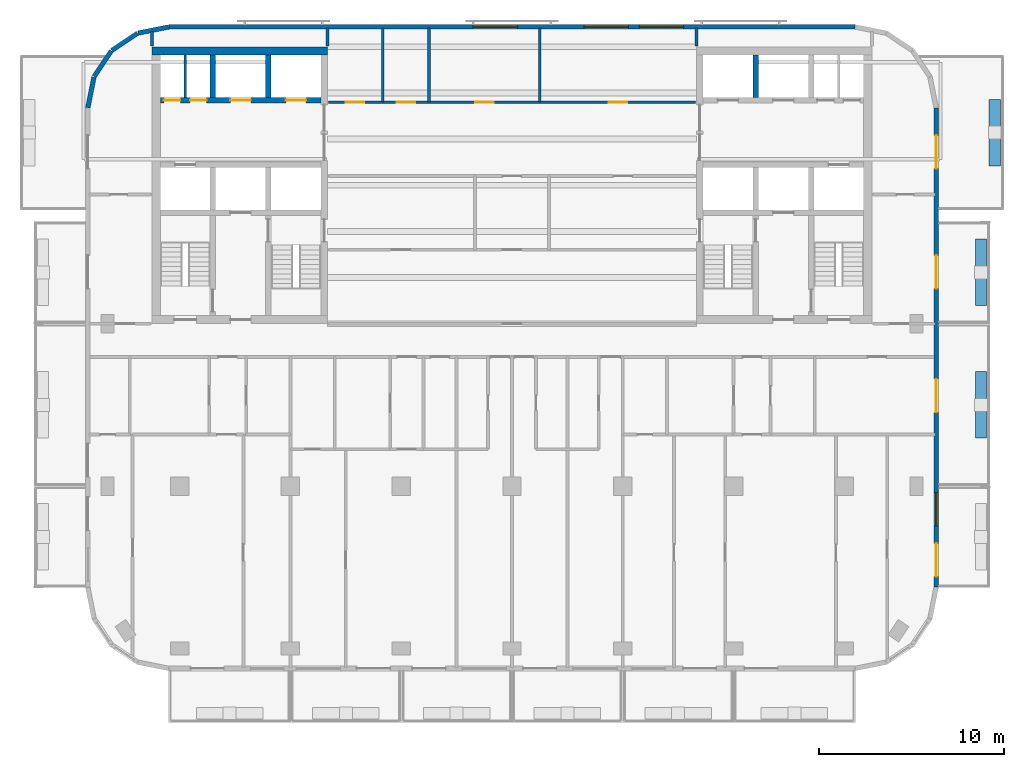
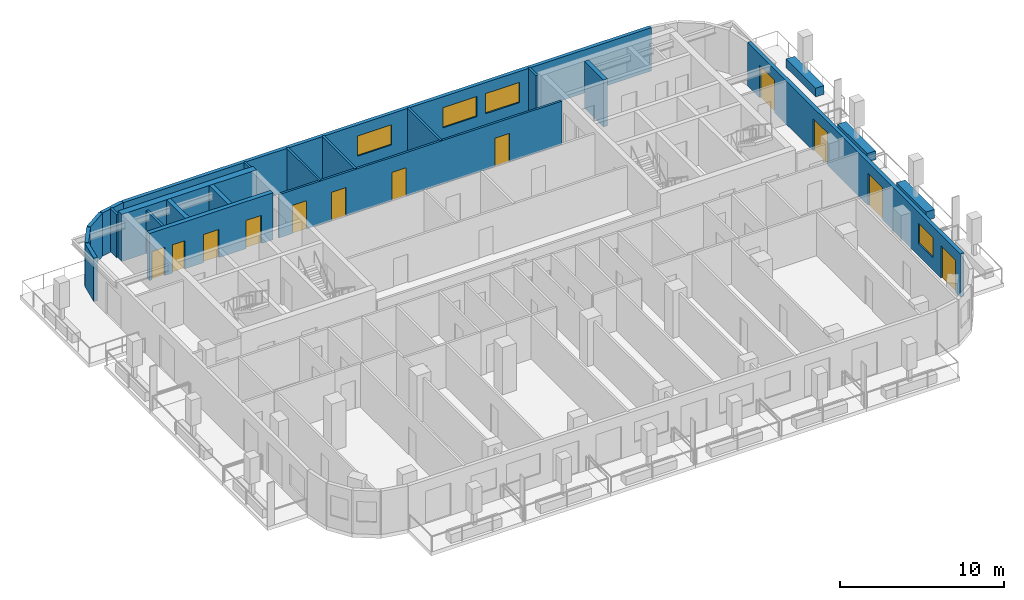
# One storey, part 6 of 11: 22 walls, 12 doors, 4 windows, 16 openings.
"""IFC4 building model written with IfcOpenShell, lengths in metres."""

from ifc_helpers import new_model, si_unit, direction, frame, frame_2d, origin, place, context, subcontext, project, spatial, rectangle, extrude, material, layer, layer_set, type_object, element, fill, save


model = new_model("IFC4")

# Units and contexts
model_context = context("Model", 3, precision=1e-05, world=origin(), true_north=direction((0.0, 1.0)))
body_context = subcontext(model_context, "Body", "Model", "MODEL_VIEW")
ifc_project = project(units=[si_unit("LENGTHUNIT", "METRE"), si_unit("AREAUNIT", "SQUARE_METRE"), si_unit("VOLUMEUNIT", "CUBIC_METRE"), si_unit("PLANEANGLEUNIT", "RADIAN"), si_unit("MASSUNIT", "GRAM", prefix="KILO")], contexts=[model_context])

# Site, building, storey
site_placement = place(None, origin())
site = spatial("IfcSite", under=ifc_project, at=site_placement, CompositionType="ELEMENT")
building_placement = place(site_placement, origin())
building = spatial("IfcBuilding", under=site, at=building_placement, Name="Torana Hotel and Residences", CompositionType="ELEMENT")
storey_placement = place(building_placement, frame((0.0, 0.0, 287.60009765625)))
storey = spatial("IfcBuildingStorey", under=building, at=storey_placement, Name="L76", CompositionType="ELEMENT", Elevation=287.60009765625)

# Wall, openings, doors
ifc_material_1 = material(Name="Concrete C60/75", Category="concrete")
ifc_layer_1 = layer(ifc_material_1, 0.300048828125)
ifc_layer_set_1 = layer_set([ifc_layer_1], Name="CORE WALL 300 C60/75")
wall_type_1 = type_object("IfcWallType", Name="CORE WALL 300 C60/75", PredefinedType="SHEAR", material=ifc_layer_set_1)
wall_1_placement = place(storey_placement, frame((-19.050048828125, -2.89990234375, 0.0), z_axis=(0.0, 0.0, 1.0), x_axis=(1.0, 0.0, 0.0)))
wall_1 = element("IfcWall", 1, at=wall_1_placement, inside=storey, type_object=wall_type_1, Name="Core wall W row-N", PredefinedType="SHEAR", context=body_context, shape_type="SweptSolid", body=[
    extrude(rectangle(XDim=8.699951171875, YDim=0.300048828125, at=frame_2d((4.35009765625, 0.0))), origin(), (0.0, 0.0, 1.0), 3.5),
])
opening_1_placement = place(wall_1_placement, frame((6.800048828125, 0.0, 0.0)))
opening_1 = element("IfcOpeningElement", 2, at=opening_1_placement, cuts=wall_1, Name="Opening LD", PredefinedType="OPENING", context=body_context, shape_type="SweptSolid", body=[
    extrude(rectangle(XDim=1.10009765625, YDim=2.10009765625, at=frame_2d((0.550048828125, 1.050048828125))), frame((0.0, 0.159912109375, 0.0), z_axis=(0.0, -1.0, 0.0), x_axis=(1.0, 0.0, 0.0)), (0.0, 0.0, 1.0), 0.320068359375),
])
opening_2_placement = place(wall_1_placement, frame((3.800048828125, 0.0, 0.0)))
opening_2 = element("IfcOpeningElement", 3, at=opening_2_placement, cuts=wall_1, Name="Opening LD", PredefinedType="OPENING", context=body_context, shape_type="SweptSolid", body=[
    extrude(rectangle(XDim=1.10009765625, YDim=2.10009765625, at=frame_2d((0.550048828125, 1.050048828125))), frame((0.0, 0.159912109375, 0.0), z_axis=(0.0, -1.0, 0.0), x_axis=(1.0, 0.0, 0.0)), (0.0, 0.0, 1.0), 0.320068359375),
])
opening_3_placement = place(wall_1_placement, frame((1.612548828125, 0.0, 0.0)))
opening_3 = element("IfcOpeningElement", 4, at=opening_3_placement, cuts=wall_1, Name="Opening L76-06", PredefinedType="OPENING", context=body_context, shape_type="SweptSolid", body=[
    extrude(rectangle(XDim=0.89990234375, YDim=2.10009765625, at=frame_2d((0.449951171875, 1.050048828125))), frame((0.0, 0.159912109375, 0.0), z_axis=(0.0, -1.0, 0.0), x_axis=(1.0, 0.0, 0.0)), (0.0, 0.0, 1.0), 0.320068359375),
])
opening_4_placement = place(wall_1_placement, frame((0.1875, 0.0, 0.0)))
opening_4 = element("IfcOpeningElement", 5, at=opening_4_placement, cuts=wall_1, Name="Opening L76-07", PredefinedType="OPENING", context=body_context, shape_type="SweptSolid", body=[
    extrude(rectangle(XDim=0.89990234375, YDim=2.10009765625, at=frame_2d((0.449951171875, 1.050048828125))), frame((0.0, 0.159912109375, 0.0), z_axis=(0.0, -1.0, 0.0), x_axis=(1.0, 0.0, 0.0)), (0.0, 0.0, 1.0), 0.320068359375),
])
ifc_material_2 = material(Name="Stainless steel 316", Category="steel")
door_type_1 = type_object("IfcDoorType", Name="LIFT LANDING DOOR LD 1100x2100", OperationType="DOUBLE_DOOR_SLIDING", PredefinedType="USERDEFINED", material=ifc_material_2)
door_1_placement = place(opening_1_placement, origin())
door_1 = element("IfcDoor", 6, at=door_1_placement, inside=storey, type_object=door_type_1, Name="Lift landing door H1 L76", ObjectType="LIFT LANDING DOOR", OperationType="DOUBLE_DOOR_SLIDING", OverallHeight=2.10009765625, OverallWidth=1.10009765625, PredefinedType="USERDEFINED", context=body_context, shape_type="SweptSolid", body=[
    extrude(rectangle(XDim=1.10009765625, YDim=2.10009765625, at=frame_2d((0.550048828125, 1.050048828125))), frame((0.0, 0.02490234375, 0.0), z_axis=(0.0, -1.0, 0.0), x_axis=(1.0, 0.0, 0.0)), (0.0, 0.0, 1.0), 0.050048828125),
])
fill(opening_1, door_1)
door_2_placement = place(opening_2_placement, origin())
door_2 = element("IfcDoor", 7, at=door_2_placement, inside=storey, type_object=door_type_1, Name="Lift landing door H2 L76", ObjectType="LIFT LANDING DOOR", OperationType="DOUBLE_DOOR_SLIDING", OverallHeight=2.10009765625, OverallWidth=1.10009765625, PredefinedType="USERDEFINED", context=body_context, shape_type="SweptSolid", body=[
    extrude(rectangle(XDim=1.10009765625, YDim=2.10009765625, at=frame_2d((0.550048828125, 1.050048828125))), frame((0.0, 0.02490234375, 0.0), z_axis=(0.0, -1.0, 0.0), x_axis=(1.0, 0.0, 0.0)), (0.0, 0.0, 1.0), 0.050048828125),
])
fill(opening_2, door_2)
ifc_material_3 = material(Name="Steel S235", Category="steel")
door_type_2 = type_object("IfcDoorType", Name="RISER ACCESS DOOR D5 900x2100", OperationType="SINGLE_SWING_LEFT", PredefinedType="DOOR", material=ifc_material_3)
door_3_placement = place(opening_3_placement, origin())
door_3 = element("IfcDoor", 8, at=door_3_placement, inside=storey, type_object=door_type_2, Name="N2A door L76", OperationType="SINGLE_SWING_RIGHT", OverallHeight=2.10009765625, OverallWidth=0.89990234375, PredefinedType="DOOR", context=body_context, shape_type="SweptSolid", body=[
    extrude(rectangle(XDim=0.89990234375, YDim=2.10009765625, at=frame_2d((0.449951171875, 1.050048828125))), frame((0.0, 0.02490234375, 0.0), z_axis=(0.0, -1.0, 0.0), x_axis=(1.0, 0.0, 0.0)), (0.0, 0.0, 1.0), 0.050048828125),
])
fill(opening_3, door_3)
door_4_placement = place(opening_4_placement, origin())
door_4 = element("IfcDoor", 9, at=door_4_placement, inside=storey, type_object=door_type_2, Name="N2B door L76", OperationType="SINGLE_SWING_RIGHT", OverallHeight=2.10009765625, OverallWidth=0.89990234375, PredefinedType="DOOR", context=body_context, shape_type="SweptSolid", body=[
    extrude(rectangle(XDim=0.89990234375, YDim=2.10009765625, at=frame_2d((0.449951171875, 1.050048828125))), frame((0.0, 0.02490234375, 0.0), z_axis=(0.0, -1.0, 0.0), x_axis=(1.0, 0.0, 0.0)), (0.0, 0.0, 1.0), 0.050048828125),
])
fill(opening_4, door_4)

# Walls
for number, where, z_axis, x_axis, name in (
    (10, (-13.199951171875, -2.75, 0.0), (0.0, 0.0, 1.0), (0.0, 1.0, 0.0), "Core wall W x3.05-N"),
    (11, (-16.199951171875, -2.75, 0.0), (0.0, 0.0, 1.0), (0.0, 1.0, 0.0), "Core wall W x6.05-N"),
    (12, (13.199951171875, -2.75, 0.0), (0.0, 0.0, 1.0), (0.0, 1.0, 0.0), "Core wall E x3.05-N"),
):
    element("IfcWall", number, at=place(storey_placement, frame(where, z_axis=z_axis, x_axis=x_axis)), inside=storey, type_object=wall_type_1, Name=name, PredefinedType="SHEAR", context=body_context, shape_type="SweptSolid", body=[
        extrude(rectangle(XDim=2.300048828125, YDim=0.300048828125, at=frame_2d((1.14990234375, 0.0))), origin(), (0.0, 0.0, 1.0), 3.5),
    ])
ifc_material_4 = material(Name="Concrete C60/75", Category="concrete")
ifc_layer_2 = layer(ifc_material_4, 0.449951171875)
ifc_layer_set_2 = layer_set([ifc_layer_2], Name="CORE WALL 450 C60/75")
wall_type_2 = type_object("IfcWallType", Name="CORE WALL 450 C60/75", PredefinedType="SHEAR", material=ifc_layer_set_2)
wall_2_placement = place(storey_placement, frame((-19.5, -0.22509765625, 0.0), z_axis=(0.0, 0.0, 1.0), x_axis=(1.0, 0.0, 0.0)))
element("IfcWall", 13, at=wall_2_placement, inside=storey, type_object=wall_type_2, Name="Core wall W rear", PredefinedType="SHEAR", context=body_context, shape_type="SweptSolid", body=[
    extrude(rectangle(XDim=9.5, YDim=0.449951171875, at=frame_2d((4.75, 0.0))), origin(), (0.0, 0.0, 1.0), 3.5),
])
ifc_material_5 = material(Name="Black aluminium composite panel", Category="aluminium")
ifc_layer_3 = layer(ifc_material_5, 0.00390625, Name="Cladding", Category="cladding")
ifc_material_6 = material(Name="Ventilated air cavity")
ifc_layer_4 = layer(ifc_material_6, 0.0400390625, Name="Ventilated cavity", Category="cavity")
ifc_material_7 = material(Name="Mineral wool insulation")
ifc_layer_5 = layer(ifc_material_7, 0.090087890625, Name="Insulation", Category="insulation")
ifc_material_8 = material(Name="Steel S280GD", Category="steel")
ifc_layer_6 = layer(ifc_material_8, 0.092041015625, Name="Steel stud frame", Category="structure")
ifc_material_9 = material(Name="Fire rated plasterboard")
ifc_layer_7 = layer(ifc_material_9, 0.011962890625, Name="Inner board", Category="finish")
ifc_layer_8 = layer(ifc_material_9, 0.011962890625, Name="Second board", Category="finish")
ifc_layer_set_3 = layer_set([ifc_layer_3, ifc_layer_4, ifc_layer_5, ifc_layer_6, ifc_layer_7, ifc_layer_8], Name="EW1 EXTERNAL WALL BLACK METAL CLAD 250")
wall_type_3 = type_object("IfcWallType", Name="EW1 EXTERNAL WALL BLACK METAL CLAD 250", PredefinedType="SOLIDWALL", material=ifc_layer_set_3)
wall_3_placement = place(storey_placement, frame((-18.599853515625, 1.072509765625, 0.0), z_axis=(0.0, 0.0, 1.0), x_axis=(-0.980797896849, -0.195026884138, 0.0)))
element("IfcWall", 14, at=wall_3_placement, inside=storey, type_object=wall_type_3, Name="External wall L76 e0.5", PredefinedType="SOLIDWALL", context=body_context, shape_type="SweptSolid", body=[
    extrude(rectangle(XDim=1.68115234375, YDim=0.25, at=frame_2d((0.840576171875, 0.0))), origin(), (0.0, 0.0, 1.0), 3.219970703125),
])
for number, where, z_axis, x_axis, name in (
    (15, (-20.2939453125, 0.725830078125, 0.0), (0.0, 0.0, 1.0), (-0.831482937015, -0.55555029066, 0.0), "External wall L76 e0.6"),
    (16, (-21.705810546875, -0.228759765625, 0.0), (0.0, 0.0, 1.0), (-0.55555029066, -0.831482937015, 0.0), "External wall L76 e0.7"),
):
    element("IfcWall", number, at=place(storey_placement, frame(where, z_axis=z_axis, x_axis=x_axis)), inside=storey, type_object=wall_type_3, Name=name, PredefinedType="SOLIDWALL", context=body_context, shape_type="SweptSolid", body=[
        extrude(rectangle(XDim=1.65625, YDim=0.25, at=frame_2d((0.828125, 0.0))), origin(), (0.0, 0.0, 1.0), 3.219970703125),
    ])
wall_4_placement = place(storey_placement, frame((-22.64453125, -1.651123046875, 0.0), z_axis=(0.0, 0.0, 1.0), x_axis=(-0.19513878023, -0.980775640221, 0.0)))
element("IfcWall", 17, at=wall_4_placement, inside=storey, type_object=wall_type_3, Name="External wall L76 e0.8", PredefinedType="SOLIDWALL", context=body_context, shape_type="SweptSolid", body=[
    extrude(rectangle(XDim=1.681396484375, YDim=0.25, at=frame_2d((0.8408203125, 0.0))), origin(), (0.0, 0.0, 1.0), 3.219970703125),
])

# Wall, openings, doors, window
wall_5_placement = place(storey_placement, frame((22.97509765625, -29.275390625, 0.0), z_axis=(0.0, 0.0, 1.0), x_axis=(0.0, 1.0, 0.0)))
wall_5 = element("IfcWall", 18, at=wall_5_placement, inside=storey, type_object=wall_type_3, Name="External wall L76 e0.19", PredefinedType="SOLIDWALL", context=body_context, shape_type="SweptSolid", body=[
    extrude(rectangle(XDim=25.95068359375, YDim=0.25, at=frame_2d((12.975341796875, 0.0))), origin(), (0.0, 0.0, 1.0), 3.219970703125),
])
opening_5_placement = place(wall_5_placement, frame((0.575439453125, 0.0, 0.0)))
opening_5 = element("IfcOpeningElement", 19, at=opening_5_placement, cuts=wall_5, Name="Opening L76-E07", PredefinedType="OPENING", context=body_context, shape_type="SweptSolid", body=[
    extrude(rectangle(XDim=1.800048828125, YDim=2.39990234375, at=frame_2d((0.89990234375, 1.199951171875))), frame((0.0, 0.135009765625, 0.0), z_axis=(0.0, -1.0, 0.0), x_axis=(1.0, 0.0, 0.0)), (0.0, 0.0, 1.0), 0.27001953125),
])
opening_6_placement = place(wall_5_placement, frame((3.325439453125, 0.0, 0.89990234375)))
opening_6 = element("IfcOpeningElement", 20, at=opening_6_placement, cuts=wall_5, Name="Opening W4", PredefinedType="OPENING", context=body_context, shape_type="SweptSolid", body=[
    extrude(rectangle(XDim=1.800048828125, YDim=1.5, at=frame_2d((0.89990234375, 0.75))), frame((0.0, 0.135009765625, 0.0), z_axis=(0.0, -1.0, 0.0), x_axis=(1.0, 0.0, 0.0)), (0.0, 0.0, 1.0), 0.27001953125),
])
opening_7_placement = place(wall_5_placement, frame((9.475341796875, 0.0, 0.0)))
opening_7 = element("IfcOpeningElement", 21, at=opening_7_placement, cuts=wall_5, Name="Opening L76-E08", PredefinedType="OPENING", context=body_context, shape_type="SweptSolid", body=[
    extrude(rectangle(XDim=1.800048828125, YDim=2.39990234375, at=frame_2d((0.89990234375, 1.199951171875))), frame((0.0, 0.135009765625, 0.0), z_axis=(0.0, -1.0, 0.0), x_axis=(1.0, 0.0, 0.0)), (0.0, 0.0, 1.0), 0.27001953125),
])
opening_8_placement = place(wall_5_placement, frame((16.17529296875, 0.0, 0.0)))
opening_8 = element("IfcOpeningElement", 22, at=opening_8_placement, cuts=wall_5, Name="Opening L76-E09", PredefinedType="OPENING", context=body_context, shape_type="SweptSolid", body=[
    extrude(rectangle(XDim=1.800048828125, YDim=2.39990234375, at=frame_2d((0.89990234375, 1.199951171875))), frame((0.0, 0.135009765625, 0.0), z_axis=(0.0, -1.0, 0.0), x_axis=(1.0, 0.0, 0.0)), (0.0, 0.0, 1.0), 0.27001953125),
])
opening_9_placement = place(wall_5_placement, frame((22.67529296875, 0.0, 0.0)))
opening_9 = element("IfcOpeningElement", 23, at=opening_9_placement, cuts=wall_5, Name="Opening L76-E10", PredefinedType="OPENING", context=body_context, shape_type="SweptSolid", body=[
    extrude(rectangle(XDim=1.800048828125, YDim=2.39990234375, at=frame_2d((0.89990234375, 1.199951171875))), frame((0.0, 0.135009765625, 0.0), z_axis=(0.0, -1.0, 0.0), x_axis=(1.0, 0.0, 0.0)), (0.0, 0.0, 1.0), 0.27001953125),
])
ifc_material_10 = material(Name="Dark glass in black aluminium frame", Category="aluminium")
door_type_3 = type_object("IfcDoorType", Name="DB1 BALCONY DOOR 1800x2400", OperationType="DOUBLE_DOOR_SINGLE_SWING", PredefinedType="DOOR", material=ifc_material_10)
door_5_placement = place(opening_5_placement, origin())
door_5 = element("IfcDoor", 24, at=door_5_placement, inside=storey, type_object=door_type_3, Name="Balcony door L76", OperationType="DOUBLE_DOOR_SINGLE_SWING", OverallHeight=2.39990234375, OverallWidth=1.800048828125, PredefinedType="DOOR", context=body_context, shape_type="SweptSolid", body=[
    extrude(rectangle(XDim=1.800048828125, YDim=2.39990234375, at=frame_2d((0.89990234375, 1.199951171875))), frame((0.0, 0.02490234375, 0.0), z_axis=(0.0, -1.0, 0.0), x_axis=(1.0, 0.0, 0.0)), (0.0, 0.0, 1.0), 0.050048828125),
])
fill(opening_5, door_5)
door_6_placement = place(opening_7_placement, origin())
door_6 = element("IfcDoor", 25, at=door_6_placement, inside=storey, type_object=door_type_3, Name="Balcony door L76", OperationType="DOUBLE_DOOR_SINGLE_SWING", OverallHeight=2.39990234375, OverallWidth=1.800048828125, PredefinedType="DOOR", context=body_context, shape_type="SweptSolid", body=[
    extrude(rectangle(XDim=1.800048828125, YDim=2.39990234375, at=frame_2d((0.89990234375, 1.199951171875))), frame((0.0, 0.02490234375, 0.0), z_axis=(0.0, -1.0, 0.0), x_axis=(1.0, 0.0, 0.0)), (0.0, 0.0, 1.0), 0.050048828125),
])
fill(opening_7, door_6)
door_7_placement = place(opening_8_placement, origin())
door_7 = element("IfcDoor", 26, at=door_7_placement, inside=storey, type_object=door_type_3, Name="Balcony door L76", OperationType="DOUBLE_DOOR_SINGLE_SWING", OverallHeight=2.39990234375, OverallWidth=1.800048828125, PredefinedType="DOOR", context=body_context, shape_type="SweptSolid", body=[
    extrude(rectangle(XDim=1.800048828125, YDim=2.39990234375, at=frame_2d((0.89990234375, 1.199951171875))), frame((0.0, 0.02490234375, 0.0), z_axis=(0.0, -1.0, 0.0), x_axis=(1.0, 0.0, 0.0)), (0.0, 0.0, 1.0), 0.050048828125),
])
fill(opening_8, door_7)
door_8_placement = place(opening_9_placement, origin())
door_8 = element("IfcDoor", 27, at=door_8_placement, inside=storey, type_object=door_type_3, Name="Balcony door L76", OperationType="DOUBLE_DOOR_SINGLE_SWING", OverallHeight=2.39990234375, OverallWidth=1.800048828125, PredefinedType="DOOR", context=body_context, shape_type="SweptSolid", body=[
    extrude(rectangle(XDim=1.800048828125, YDim=2.39990234375, at=frame_2d((0.89990234375, 1.199951171875))), frame((0.0, 0.02490234375, 0.0), z_axis=(0.0, -1.0, 0.0), x_axis=(1.0, 0.0, 0.0)), (0.0, 0.0, 1.0), 0.050048828125),
])
fill(opening_9, door_8)
ifc_material_11 = material(Name="Dark glass in black aluminium frame", Category="aluminium")
window_type_1 = type_object("IfcWindowType", Name="W4 RESIDENCE WINDOW NARROW 1800x1500", PartitioningType="SINGLE_PANEL", PredefinedType="WINDOW", material=ifc_material_11)
window_1_placement = place(opening_6_placement, origin())
window_1 = element("IfcWindow", 28, at=window_1_placement, inside=storey, type_object=window_type_1, Name="Window L76", OverallHeight=1.5, OverallWidth=1.800048828125, PartitioningType="SINGLE_PANEL", PredefinedType="WINDOW", context=body_context, shape_type="SweptSolid", body=[
    extrude(rectangle(XDim=1.800048828125, YDim=1.5, at=frame_2d((0.89990234375, 0.75))), frame((0.0, 0.030029296875, 0.0), z_axis=(0.0, -1.0, 0.0), x_axis=(1.0, 0.0, 0.0)), (0.0, 0.0, 1.0), 0.06005859375),
])
fill(opening_6, window_1)

# Wall, openings, windows
ifc_material_12 = material(Name="Concrete C40/50 precast", Category="concrete")
ifc_layer_9 = layer(ifc_material_12, 0.10009765625, Name="Perforated block", Category="cladding")
ifc_material_13 = material(Name="Air cavity")
ifc_layer_10 = layer(ifc_material_13, 0.030029296875, Name="Cavity", Category="cavity")
ifc_material_14 = material(Name="Concrete C40/50", Category="concrete")
ifc_layer_11 = layer(ifc_material_14, 0.10009765625, Name="Wall", Category="structure")
ifc_material_15 = material(Name="Plaster and paint")
ifc_layer_12 = layer(ifc_material_15, 0.02001953125, Name="Inner finish", Category="finish")
ifc_layer_set_4 = layer_set([ifc_layer_9, ifc_layer_10, ifc_layer_11, ifc_layer_12], Name="EW2 PERFORATED BLOCK SCREEN WALL 250")
wall_type_4 = type_object("IfcWallType", Name="EW2 PERFORATED BLOCK SCREEN WALL 250", PredefinedType="SOLIDWALL", material=ifc_layer_set_4)
wall_6_placement = place(storey_placement, frame((18.575439453125, 1.074951171875, 0.0), z_axis=(0.0, 0.0, 1.0), x_axis=(-1.0, 0.0, 0.0)))
wall_6 = element("IfcWall", 29, at=wall_6_placement, inside=storey, type_object=wall_type_4, Name="External wall L76 e0.4", PredefinedType="SOLIDWALL", context=body_context, shape_type="SweptSolid", body=[
    extrude(rectangle(XDim=37.15087890625, YDim=0.25, at=frame_2d((18.575439453125, 0.0))), origin(), (0.0, 0.0, 1.0), 3.219970703125),
])
opening_10_placement = place(wall_6_placement, frame((9.275390625, 0.0, 0.89990234375)))
opening_10 = element("IfcOpeningElement", 30, at=opening_10_placement, cuts=wall_6, Name="Opening W3", PredefinedType="OPENING", context=body_context, shape_type="SweptSolid", body=[
    extrude(rectangle(XDim=2.39990234375, YDim=1.5, at=frame_2d((1.199951171875, 0.75))), frame((0.0, 0.135009765625, 0.0), z_axis=(0.0, -1.0, 0.0), x_axis=(1.0, 0.0, 0.0)), (0.0, 0.0, 1.0), 0.27001953125),
])
opening_11_placement = place(wall_6_placement, frame((12.275390625, 0.0, 0.89990234375)))
opening_11 = element("IfcOpeningElement", 31, at=opening_11_placement, cuts=wall_6, Name="Opening W3", PredefinedType="OPENING", context=body_context, shape_type="SweptSolid", body=[
    extrude(rectangle(XDim=2.39990234375, YDim=1.5, at=frame_2d((1.199951171875, 0.75))), frame((0.0, 0.135009765625, 0.0), z_axis=(0.0, -1.0, 0.0), x_axis=(1.0, 0.0, 0.0)), (0.0, 0.0, 1.0), 0.27001953125),
])
opening_12_placement = place(wall_6_placement, frame((18.275390625, 0.0, 0.89990234375)))
opening_12 = element("IfcOpeningElement", 32, at=opening_12_placement, cuts=wall_6, Name="Opening W3", PredefinedType="OPENING", context=body_context, shape_type="SweptSolid", body=[
    extrude(rectangle(XDim=2.39990234375, YDim=1.5, at=frame_2d((1.199951171875, 0.75))), frame((0.0, 0.135009765625, 0.0), z_axis=(0.0, -1.0, 0.0), x_axis=(1.0, 0.0, 0.0)), (0.0, 0.0, 1.0), 0.27001953125),
])
ifc_material_16 = material(Name="Dark glass in black aluminium frame", Category="aluminium")
window_type_2 = type_object("IfcWindowType", Name="W3 RESIDENCE WINDOW 2400x1500", PartitioningType="SINGLE_PANEL", PredefinedType="WINDOW", material=ifc_material_16)
window_2_placement = place(opening_10_placement, origin())
window_2 = element("IfcWindow", 33, at=window_2_placement, inside=storey, type_object=window_type_2, Name="Window L76", OverallHeight=1.5, OverallWidth=2.39990234375, PartitioningType="SINGLE_PANEL", PredefinedType="WINDOW", context=body_context, shape_type="SweptSolid", body=[
    extrude(rectangle(XDim=2.39990234375, YDim=1.5, at=frame_2d((1.199951171875, 0.75))), frame((0.0, 0.030029296875, 0.0), z_axis=(0.0, -1.0, 0.0), x_axis=(1.0, 0.0, 0.0)), (0.0, 0.0, 1.0), 0.06005859375),
])
fill(opening_10, window_2)
window_3_placement = place(opening_11_placement, origin())
window_3 = element("IfcWindow", 34, at=window_3_placement, inside=storey, type_object=window_type_2, Name="Window L76", OverallHeight=1.5, OverallWidth=2.39990234375, PartitioningType="SINGLE_PANEL", PredefinedType="WINDOW", context=body_context, shape_type="SweptSolid", body=[
    extrude(rectangle(XDim=2.39990234375, YDim=1.5, at=frame_2d((1.199951171875, 0.75))), frame((0.0, 0.030029296875, 0.0), z_axis=(0.0, -1.0, 0.0), x_axis=(1.0, 0.0, 0.0)), (0.0, 0.0, 1.0), 0.06005859375),
])
fill(opening_11, window_3)
window_4_placement = place(opening_12_placement, origin())
window_4 = element("IfcWindow", 35, at=window_4_placement, inside=storey, type_object=window_type_2, Name="Window L76", OverallHeight=1.5, OverallWidth=2.39990234375, PartitioningType="SINGLE_PANEL", PredefinedType="WINDOW", context=body_context, shape_type="SweptSolid", body=[
    extrude(rectangle(XDim=2.39990234375, YDim=1.5, at=frame_2d((1.199951171875, 0.75))), frame((0.0, 0.030029296875, 0.0), z_axis=(0.0, -1.0, 0.0), x_axis=(1.0, 0.0, 0.0)), (0.0, 0.0, 1.0), 0.06005859375),
])
fill(opening_12, window_4)

# Wall
ifc_material_17 = material(Name="Gypsum plaster")
ifc_layer_13 = layer(ifc_material_17, 0.014892578125, Name="Plaster", Category="finish")
ifc_material_18 = material(Name="Concrete blockwork", Category="masonry")
ifc_layer_14 = layer(ifc_material_18, 0.1201171875, Name="Blockwork", Category="structure")
ifc_layer_15 = layer(ifc_material_17, 0.014892578125, Name="Plaster", Category="finish")
ifc_layer_set_5 = layer_set([ifc_layer_13, ifc_layer_14, ifc_layer_15], Name="FIRE PARTITION 150 BLOCKWORK")
wall_type_5 = type_object("IfcWallType", Name="FIRE PARTITION 150 BLOCKWORK", PredefinedType="PARTITIONING", material=ifc_layer_set_5)
wall_7_placement = place(storey_placement, frame((-17.699951171875, -2.75, 0.0), z_axis=(0.0, 0.0, 1.0), x_axis=(0.0, 1.0, 0.0)))
element("IfcWall", 36, at=wall_7_placement, inside=storey, type_object=wall_type_5, Name="Core partition L76", PredefinedType="PARTITIONING", context=body_context, shape_type="SweptSolid", body=[
    extrude(rectangle(XDim=2.300048828125, YDim=0.14990234375, at=frame_2d((1.14990234375, 0.0))), origin(), (0.0, 0.0, 1.0), 3.199951171875),
])

# Wall, openings, doors
wall_8_placement = place(storey_placement, frame((-9.949951171875, -3.0, 0.0), z_axis=(0.0, 0.0, 1.0), x_axis=(1.0, 0.0, 0.0)))
wall_8 = element("IfcWall", 37, at=wall_8_placement, inside=storey, type_object=wall_type_5, Name="Partition L76", PredefinedType="PARTITIONING", context=body_context, shape_type="SweptSolid", body=[
    extrude(rectangle(XDim=19.89990234375, YDim=0.14990234375, at=frame_2d((9.949951171875, 0.0))), origin(), (0.0, 0.0, 1.0), 3.219970703125),
])
opening_13_placement = place(wall_8_placement, frame((0.949951171875, 0.0, 0.0)))
opening_13 = element("IfcOpeningElement", 38, at=opening_13_placement, cuts=wall_8, Name="Opening L76-34", PredefinedType="OPENING", context=body_context, shape_type="SweptSolid", body=[
    extrude(rectangle(XDim=1.0, YDim=2.10009765625, at=frame_2d((0.5, 1.050048828125))), frame((0.0, 0.0849609375, 0.0), z_axis=(0.0, -1.0, 0.0), x_axis=(1.0, 0.0, 0.0)), (0.0, 0.0, 1.0), 0.169921875),
])
opening_14_placement = place(wall_8_placement, frame((3.699951171875, 0.0, 0.0)))
opening_14 = element("IfcOpeningElement", 39, at=opening_14_placement, cuts=wall_8, Name="Opening L76-35", PredefinedType="OPENING", context=body_context, shape_type="SweptSolid", body=[
    extrude(rectangle(XDim=1.0, YDim=2.10009765625, at=frame_2d((0.5, 1.050048828125))), frame((0.0, 0.0849609375, 0.0), z_axis=(0.0, -1.0, 0.0), x_axis=(1.0, 0.0, 0.0)), (0.0, 0.0, 1.0), 0.169921875),
])
opening_15_placement = place(wall_8_placement, frame((7.949951171875, 0.0, 0.0)))
opening_15 = element("IfcOpeningElement", 40, at=opening_15_placement, cuts=wall_8, Name="Opening L76-36", PredefinedType="OPENING", context=body_context, shape_type="SweptSolid", body=[
    extrude(rectangle(XDim=1.0, YDim=2.10009765625, at=frame_2d((0.5, 1.050048828125))), frame((0.0, 0.0849609375, 0.0), z_axis=(0.0, -1.0, 0.0), x_axis=(1.0, 0.0, 0.0)), (0.0, 0.0, 1.0), 0.169921875),
])
opening_16_placement = place(wall_8_placement, frame((15.199951171875, 0.0, 0.0)))
opening_16 = element("IfcOpeningElement", 41, at=opening_16_placement, cuts=wall_8, Name="Opening L76-37", PredefinedType="OPENING", context=body_context, shape_type="SweptSolid", body=[
    extrude(rectangle(XDim=1.0, YDim=2.10009765625, at=frame_2d((0.5, 1.050048828125))), frame((0.0, 0.0849609375, 0.0), z_axis=(0.0, -1.0, 0.0), x_axis=(1.0, 0.0, 0.0)), (0.0, 0.0, 1.0), 0.169921875),
])
ifc_material_19 = material(Name="Steel S235", Category="steel")
door_type_4 = type_object("IfcDoorType", Name="ENTRY FIRE DOOR D6 1000x2100", OperationType="SINGLE_SWING_LEFT", PredefinedType="DOOR", material=ifc_material_19)
door_9_placement = place(opening_13_placement, origin())
door_9 = element("IfcDoor", 42, at=door_9_placement, inside=storey, type_object=door_type_4, Name="Door L76", OperationType="SINGLE_SWING_RIGHT", OverallHeight=2.10009765625, OverallWidth=1.0, PredefinedType="DOOR", context=body_context, shape_type="SweptSolid", body=[
    extrude(rectangle(XDim=1.0, YDim=2.10009765625, at=frame_2d((0.5, 1.050048828125))), frame((0.0, 0.02490234375, 0.0), z_axis=(0.0, -1.0, 0.0), x_axis=(1.0, 0.0, 0.0)), (0.0, 0.0, 1.0), 0.050048828125),
])
fill(opening_13, door_9)
door_10_placement = place(opening_14_placement, origin())
door_10 = element("IfcDoor", 43, at=door_10_placement, inside=storey, type_object=door_type_4, Name="Door L76", OperationType="SINGLE_SWING_RIGHT", OverallHeight=2.10009765625, OverallWidth=1.0, PredefinedType="DOOR", context=body_context, shape_type="SweptSolid", body=[
    extrude(rectangle(XDim=1.0, YDim=2.10009765625, at=frame_2d((0.5, 1.050048828125))), frame((0.0, 0.02490234375, 0.0), z_axis=(0.0, -1.0, 0.0), x_axis=(1.0, 0.0, 0.0)), (0.0, 0.0, 1.0), 0.050048828125),
])
fill(opening_14, door_10)
door_11_placement = place(opening_15_placement, origin())
door_11 = element("IfcDoor", 44, at=door_11_placement, inside=storey, type_object=door_type_4, Name="Door L76", OperationType="SINGLE_SWING_RIGHT", OverallHeight=2.10009765625, OverallWidth=1.0, PredefinedType="DOOR", context=body_context, shape_type="SweptSolid", body=[
    extrude(rectangle(XDim=1.0, YDim=2.10009765625, at=frame_2d((0.5, 1.050048828125))), frame((0.0, 0.02490234375, 0.0), z_axis=(0.0, -1.0, 0.0), x_axis=(1.0, 0.0, 0.0)), (0.0, 0.0, 1.0), 0.050048828125),
])
fill(opening_15, door_11)
door_12_placement = place(opening_16_placement, origin())
door_12 = element("IfcDoor", 45, at=door_12_placement, inside=storey, type_object=door_type_4, Name="Door L76", OperationType="SINGLE_SWING_RIGHT", OverallHeight=2.10009765625, OverallWidth=1.0, PredefinedType="DOOR", context=body_context, shape_type="SweptSolid", body=[
    extrude(rectangle(XDim=1.0, YDim=2.10009765625, at=frame_2d((0.5, 1.050048828125))), frame((0.0, 0.02490234375, 0.0), z_axis=(0.0, -1.0, 0.0), x_axis=(1.0, 0.0, 0.0)), (0.0, 0.0, 1.0), 0.050048828125),
])
fill(opening_16, door_12)

# Walls
ifc_material_20 = material(Name="Gypsum plasterboard")
ifc_layer_16 = layer(ifc_material_20, 0.012451171875, Name="Plasterboard", Category="finish")
ifc_layer_17 = layer(ifc_material_20, 0.012451171875, Name="Plasterboard", Category="finish")
ifc_layer_18 = layer(ifc_material_8, 0.10009765625, Name="Steel studs with mineral wool", Category="insulation")
ifc_layer_19 = layer(ifc_material_20, 0.012451171875, Name="Plasterboard", Category="finish")
ifc_layer_20 = layer(ifc_material_20, 0.012451171875, Name="Plasterboard", Category="finish")
ifc_layer_set_6 = layer_set([ifc_layer_16, ifc_layer_17, ifc_layer_18, ifc_layer_19, ifc_layer_20], Name="PARTITION 150 PLASTERBOARD")
wall_type_6 = type_object("IfcWallType", Name="PARTITION 150 PLASTERBOARD", PredefinedType="PARTITIONING", material=ifc_layer_set_6)
wall_9_placement = place(storey_placement, frame((10.0, 0.050048828125, 0.0), z_axis=(0.0, 0.0, 1.0), x_axis=(0.0, 1.0, 0.0)))
element("IfcWall", 46, at=wall_9_placement, inside=storey, type_object=wall_type_6, Name="Partition L76", PredefinedType="PARTITIONING", context=body_context, shape_type="SweptSolid", body=[
    extrude(rectangle(XDim=0.969970703125, YDim=0.14990234375, at=frame_2d((0.48486328125, 0.0))), origin(), (0.0, 0.0, 1.0), 3.219970703125),
])
wall_10_placement = place(storey_placement, frame((1.5, -3.0, 0.0), z_axis=(0.0, 0.0, 1.0), x_axis=(0.0, 1.0, 0.0)))
element("IfcWall", 47, at=wall_10_placement, inside=storey, type_object=wall_type_6, Name="Partition L76", PredefinedType="PARTITIONING", context=body_context, shape_type="SweptSolid", body=[
    extrude(rectangle(XDim=4.02001953125, YDim=0.14990234375, at=frame_2d((2.010009765625, 0.0))), origin(), (0.0, 0.0, 1.0), 3.219970703125),
])
wall_11_placement = place(storey_placement, frame((-19.5, 0.050048828125, 0.0), z_axis=(0.0, 0.0, 1.0), x_axis=(0.0, 1.0, 0.0)))
element("IfcWall", 48, at=wall_11_placement, inside=storey, type_object=wall_type_6, Name="Partition L76", PredefinedType="PARTITIONING", context=body_context, shape_type="SweptSolid", body=[
    extrude(rectangle(XDim=0.787353515625, YDim=0.14990234375, at=frame_2d((0.3935546875, 0.0))), origin(), (0.0, 0.0, 1.0), 3.219970703125),
])
ifc_layer_21 = layer(ifc_material_12, 0.10009765625, Name="Planter shell", Category="structure")
ifc_material_21 = material(Name="Root resistant membrane")
ifc_layer_22 = layer(ifc_material_21, 0.00390625, Name="Waterproofing membrane", Category="membrane")
ifc_material_22 = material(Name="Drainage board with filter fleece")
ifc_layer_23 = layer(ifc_material_22, 0.02001953125, Name="Drainage board", Category="drainage")
ifc_material_23 = material(Name="Growing medium")
ifc_layer_24 = layer(ifc_material_23, 0.47607421875, Name="Planting substrate", Category="soil")
ifc_layer_set_7 = layer_set([ifc_layer_21, ifc_layer_22, ifc_layer_23, ifc_layer_24], Name="PL1 BALCONY PLANTER 600")
wall_type_7 = type_object("IfcWallType", Name="PL1 BALCONY PLANTER 600", PredefinedType="USERDEFINED", material=ifc_layer_set_7)
for number, where, z_axis, x_axis, name in (
    (49, (25.39990234375, -17.60009765625, 0.0), (0.0, 0.0, 1.0), (0.0, -1.0, 0.0), "Planter 12"),
    (50, (25.39990234375, -10.425048828125, 0.0), (0.0, 0.0, 1.0), (0.0, -1.0, 0.0), "Planter 13"),
    (51, (26.14990234375, -2.85009765625, 0.0), (0.0, 0.0, 1.0), (0.0, -1.0, 0.0), "Planter 14"),
):
    element("IfcWall", number, at=place(storey_placement, frame(where, z_axis=z_axis, x_axis=x_axis)), inside=storey, type_object=wall_type_7, Name=name, ObjectType="PLANTER", PredefinedType="USERDEFINED", context=body_context, shape_type="SweptSolid", body=[
        extrude(rectangle(XDim=3.599853515625, YDim=0.60009765625, at=frame_2d((1.7998046875, 0.0))), origin(), (0.0, 0.0, 1.0), 0.64990234375),
    ])
ifc_material_24 = material(Name="Ceramic tile on adhesive")
ifc_layer_25 = layer(ifc_material_24, 0.010009765625, Name="Wall tile", Category="finish")
ifc_material_25 = material(Name="Cement render")
ifc_layer_26 = layer(ifc_material_25, 0.010009765625, Name="Render", Category="finish")
ifc_layer_27 = layer(ifc_material_18, 0.110107421875, Name="Blockwork", Category="structure")
ifc_layer_28 = layer(ifc_material_25, 0.010009765625, Name="Render", Category="finish")
ifc_layer_29 = layer(ifc_material_24, 0.010009765625, Name="Wall tile", Category="finish")
ifc_layer_set_8 = layer_set([ifc_layer_25, ifc_layer_26, ifc_layer_27, ifc_layer_28, ifc_layer_29], Name="WC PARTITION 150")
wall_type_8 = type_object("IfcWallType", Name="WC PARTITION 150", PredefinedType="PLUMBINGWALL", material=ifc_layer_set_8)
for number, where, z_axis, x_axis, name in (
    (52, (-4.5, -3.0, 0.0), (0.0, 0.0, 1.0), (0.0, 1.0, 0.0), "Partition L76"),
    (53, (-7.0, -3.0, 0.0), (0.0, 0.0, 1.0), (0.0, 1.0, 0.0), "Partition L76"),
):
    element("IfcWall", number, at=place(storey_placement, frame(where, z_axis=z_axis, x_axis=x_axis)), inside=storey, type_object=wall_type_8, Name=name, PredefinedType="PLUMBINGWALL", context=body_context, shape_type="SweptSolid", body=[
        extrude(rectangle(XDim=4.02001953125, YDim=0.14990234375, at=frame_2d((2.010009765625, 0.0))), origin(), (0.0, 0.0, 1.0), 3.219970703125),
    ])
wall_12_placement = place(storey_placement, frame((-10.0, 0.050048828125, 0.0), z_axis=(0.0, 0.0, 1.0), x_axis=(0.0, 1.0, 0.0)))
element("IfcWall", 54, at=wall_12_placement, inside=storey, type_object=wall_type_8, Name="Partition L76", PredefinedType="PLUMBINGWALL", context=body_context, shape_type="SweptSolid", body=[
    extrude(rectangle(XDim=0.969970703125, YDim=0.14990234375, at=frame_2d((0.48486328125, 0.0))), origin(), (0.0, 0.0, 1.0), 3.219970703125),
])

save(model, "model.ifc")
